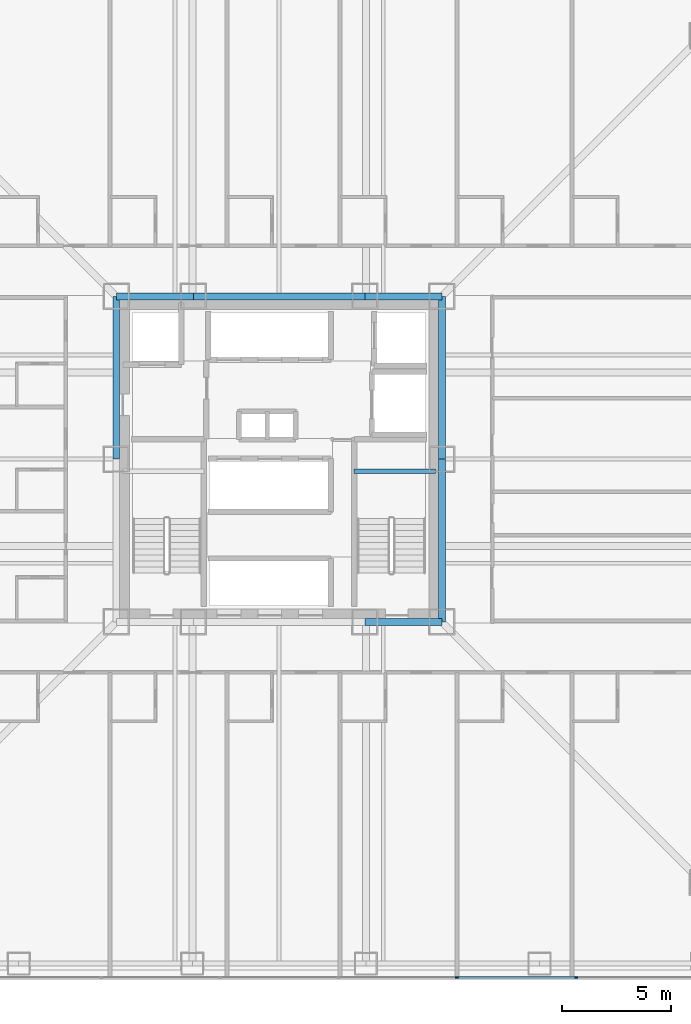
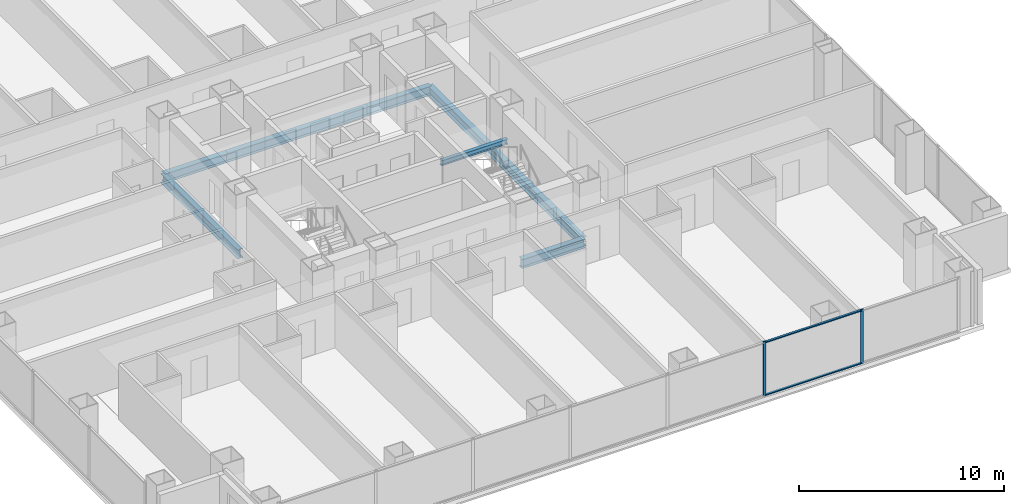
# One storey, part 5 of 17: 8 beams, 4 members, 1 element without a shape of its own.
"""IFC4 building model written with IfcOpenShell, lengths in metres."""

from ifc_helpers import new_model, si_unit, direction, frame, origin, origin_2d, place, context, subcontext, project, spatial, rectangle, i_section, extrude, material, layer, layer_set, material_profile, profile_set, type_object, element, aggregate, save


model = new_model("IFC4")

# Units and contexts
model_context = context("Model", 3, precision=1e-05, world=origin(), true_north=direction((0.0, 1.0)))
body_context = subcontext(model_context, "Body", "Model", "MODEL_VIEW")
ifc_project = project(units=[si_unit("LENGTHUNIT", "METRE"), si_unit("AREAUNIT", "SQUARE_METRE"), si_unit("VOLUMEUNIT", "CUBIC_METRE"), si_unit("PLANEANGLEUNIT", "RADIAN"), si_unit("MASSUNIT", "GRAM", prefix="KILO")], contexts=[model_context])

# Site, building, storey
site_placement = place(None, origin())
site = spatial("IfcSite", under=ifc_project, at=site_placement, CompositionType="ELEMENT")
building_placement = place(site_placement, origin())
building = spatial("IfcBuilding", under=site, at=building_placement, Name="Trevonay Congress Spire", CompositionType="ELEMENT")
storey_placement = place(building_placement, frame((0.0, 0.0, 30.5)))
storey = spatial("IfcBuildingStorey", under=building, at=storey_placement, Name="L06", CompositionType="ELEMENT", Elevation=30.5)

# Beams
ifc_material_1 = material(Name="Steel ASTM A572 Grade 50", Category="steel")
ifc_material_profile_1 = material_profile(ifc_material_1, i_section(OverallWidth=0.31201171875, OverallDepth=0.54296875, WebThickness=0.0126953125, FlangeThickness=0.020263671875, FilletRadius=0.014892578125, at=origin_2d()), Name="W530x150")
ifc_profile_set_1 = profile_set([ifc_material_profile_1], Name="Steel ASTM A572 Grade 50")
beam_type_1 = type_object("IfcBeamType", Name="BM-GIRD-W530X150", PredefinedType="BEAM", material=ifc_profile_set_1)
for number, where, z_axis, x_axis, name in (
    (1, (3.949951171875, -7.5, -0.521484375), (1.0, 0.0, 0.0), (0.0, 1.0, 0.0), "L06 structural beam BM-L06-CR-S3"),
    (2, (-7.5, 7.5, -0.521484375), (1.0, 0.0, 0.0), (0.0, 1.0, 0.0), "L06 structural beam BM-L06-CR-N1"),
):
    element("IfcBeam", number, at=place(storey_placement, frame(where, z_axis=z_axis, x_axis=x_axis)), inside=storey, type_object=beam_type_1, Name=name, PredefinedType="BEAM", context=body_context, shape_type="SweptSolid", body=[
        extrude(i_section(OverallWidth=0.31201171875, OverallDepth=0.54296875, WebThickness=0.0126953125, FlangeThickness=0.020263671875, FilletRadius=0.014892578125, at=origin_2d()), origin(), (0.0, 0.0, 1.0), 3.550048828125),
    ])
beam_1_placement = place(storey_placement, frame((-3.949951171875, 7.5, -0.521484375), z_axis=(1.0, 0.0, 0.0), x_axis=(0.0, 1.0, 0.0)))
element("IfcBeam", 3, at=beam_1_placement, inside=storey, type_object=beam_type_1, Name="L06 structural beam BM-L06-CR-N2", PredefinedType="BEAM", context=body_context, shape_type="SweptSolid", body=[
    extrude(i_section(OverallWidth=0.31201171875, OverallDepth=0.54296875, WebThickness=0.0126953125, FlangeThickness=0.020263671875, FilletRadius=0.014892578125, at=origin_2d()), origin(), (0.0, 0.0, 1.0), 7.89990234375),
])
beam_2_placement = place(storey_placement, frame((3.949951171875, 7.5, -0.521484375), z_axis=(1.0, 0.0, 0.0), x_axis=(0.0, 1.0, 0.0)))
element("IfcBeam", 4, at=beam_2_placement, inside=storey, type_object=beam_type_1, Name="L06 structural beam BM-L06-CR-N3", PredefinedType="BEAM", context=body_context, shape_type="SweptSolid", body=[
    extrude(i_section(OverallWidth=0.31201171875, OverallDepth=0.54296875, WebThickness=0.0126953125, FlangeThickness=0.020263671875, FilletRadius=0.014892578125, at=origin_2d()), origin(), (0.0, 0.0, 1.0), 3.550048828125),
])
for number, where, z_axis, x_axis, name in (
    (5, (-7.5, 0.0, -0.521484375), (0.0, 1.0, 0.0), (-1.0, 0.0, 0.0), "L06 structural beam BM-L06-CR-W2"),
    (6, (7.5, -7.5, -0.521484375), (0.0, 1.0, 0.0), (-1.0, 0.0, 0.0), "L06 structural beam BM-L06-CR-E1"),
    (7, (7.5, 0.0, -0.521484375), (0.0, 1.0, 0.0), (-1.0, 0.0, 0.0), "L06 structural beam BM-L06-CR-E2"),
):
    element("IfcBeam", number, at=place(storey_placement, frame(where, z_axis=z_axis, x_axis=x_axis)), inside=storey, type_object=beam_type_1, Name=name, PredefinedType="BEAM", context=body_context, shape_type="SweptSolid", body=[
        extrude(i_section(OverallWidth=0.31201171875, OverallDepth=0.54296875, WebThickness=0.0126953125, FlangeThickness=0.020263671875, FilletRadius=0.014892578125, at=origin_2d()), origin(), (0.0, 0.0, 1.0), 7.5),
    ])

# Curtain wall, members
ifc_material_2 = material(Name="Pale Anodised Aluminium EN AW-6063-T6", Category="aluminium")
ifc_layer = layer(ifc_material_2, 0.179931640625, Name="Pale Anodised Aluminium EN AW-6063-T6")
ifc_layer_set = layer_set([ifc_layer], Name="Pale Anodised Aluminium EN AW-6063-T6")
curtain_wall_type = type_object("IfcCurtainWallType", Name="CW-SYS02-HOTEL-PALE-METAL", PredefinedType="NOTDEFINED", material=ifc_layer_set)
curtain_wall_placement = place(storey_placement, origin())
curtain_wall = element("IfcCurtainWall", 8, at=curtain_wall_placement, inside=storey, type_object=curtain_wall_type, Name="L06 S unitised curtain wall", PredefinedType="NOTDEFINED")
ifc_material_profile_2 = material_profile(ifc_material_2, rectangle(XDim=0.06005859375, YDim=0.159912109375, at=origin_2d()), Name="CW-MULLION-160-ALUMINIUM")
ifc_profile_set_2 = profile_set([ifc_material_profile_2], Name="Pale Anodised Aluminium EN AW-6063-T6")
member_type_1 = type_object("IfcMemberType", Name="CW-MULLION-160-ALUMINIUM", PredefinedType="MULLION", material=ifc_profile_set_2)
member_1_placement = place(storey_placement, frame((8.20703125, -23.8798828125, 0.0), z_axis=(0.0, 0.0, 1.0), x_axis=(0.0, 1.0, 0.0)))
member_1 = element("IfcMember", 9, at=member_1_placement, type_object=member_type_1, Name="CW02 mullion 6", PredefinedType="MULLION", context=body_context, shape_type="SweptSolid", body=[
    extrude(rectangle(XDim=0.06005859375, YDim=0.159912109375, at=origin_2d()), origin(), (0.0, 0.0, 1.0), 3.25),
])
member_2_placement = place(storey_placement, frame((13.678466796875, -23.8798828125, 0.0), z_axis=(0.0, 0.0, 1.0), x_axis=(0.0, 1.0, 0.0)))
member_2 = element("IfcMember", 10, at=member_2_placement, type_object=member_type_1, Name="CW02 mullion 7", PredefinedType="MULLION", context=body_context, shape_type="SweptSolid", body=[
    extrude(rectangle(XDim=0.06005859375, YDim=0.159912109375, at=origin_2d()), origin(), (0.0, 0.0, 1.0), 3.25),
])
ifc_material_profile_3 = material_profile(ifc_material_2, rectangle(XDim=0.1201171875, YDim=0.06005859375, at=origin_2d()), Name="CW-TRANSOM-120-ALUMINIUM")
ifc_profile_set_3 = profile_set([ifc_material_profile_3], Name="Pale Anodised Aluminium EN AW-6063-T6")
member_type_2 = type_object("IfcMemberType", Name="CW-TRANSOM-120-ALUMINIUM", PredefinedType="USERDEFINED", material=ifc_profile_set_3)
member_3_placement = place(storey_placement, frame((8.237060546875, -23.8798828125, 0.06005859375), z_axis=(1.0, 0.0, 0.0), x_axis=(0.0, 1.0, 0.0)))
member_3 = element("IfcMember", 11, at=member_3_placement, type_object=member_type_2, Name="CW02 transom 6.1", ObjectType="TRANSOM", PredefinedType="USERDEFINED", context=body_context, shape_type="SweptSolid", body=[
    extrude(rectangle(XDim=0.1201171875, YDim=0.06005859375, at=origin_2d()), origin(), (0.0, 0.0, 1.0), 5.41162109375),
])
member_4_placement = place(storey_placement, frame((8.237060546875, -23.8798828125, 3.18994140625), z_axis=(1.0, 0.0, 0.0), x_axis=(0.0, 1.0, 0.0)))
member_4 = element("IfcMember", 12, at=member_4_placement, type_object=member_type_2, Name="CW02 transom 6.2", ObjectType="TRANSOM", PredefinedType="USERDEFINED", context=body_context, shape_type="SweptSolid", body=[
    extrude(rectangle(XDim=0.1201171875, YDim=0.06005859375, at=origin_2d()), origin(), (0.0, 0.0, 1.0), 5.41162109375),
])
aggregate(curtain_wall, [member_1, member_2, member_3, member_4])

# Beam
ifc_material_profile_4 = material_profile(ifc_material_1, i_section(OverallWidth=0.2041015625, OverallDepth=0.305908203125, WebThickness=0.008544921875, FlangeThickness=0.0146484375, FilletRadius=0.010986328125, at=origin_2d()), Name="W310x67")
ifc_profile_set_4 = profile_set([ifc_material_profile_4], Name="Steel ASTM A572 Grade 50")
beam_type_2 = type_object("IfcBeamType", Name="LN-CORE-W310X67", PredefinedType="LINTEL", material=ifc_profile_set_4)
beam_3_placement = place(storey_placement, frame((3.449951171875, -0.550048828125, 1.39697265625), z_axis=(1.0, 0.0, 0.0), x_axis=(0.0, 1.0, 0.0)))
element("IfcBeam", 13, at=beam_3_placement, inside=storey, type_object=beam_type_2, Name="L06 structural beam BM-L06-HL-ST2", PredefinedType="LINTEL", context=body_context, shape_type="SweptSolid", body=[
    extrude(i_section(OverallWidth=0.2041015625, OverallDepth=0.305908203125, WebThickness=0.008544921875, FlangeThickness=0.0146484375, FilletRadius=0.010986328125, at=origin_2d()), origin(), (0.0, 0.0, 1.0), 3.75),
])

save(model, "model.ifc")
